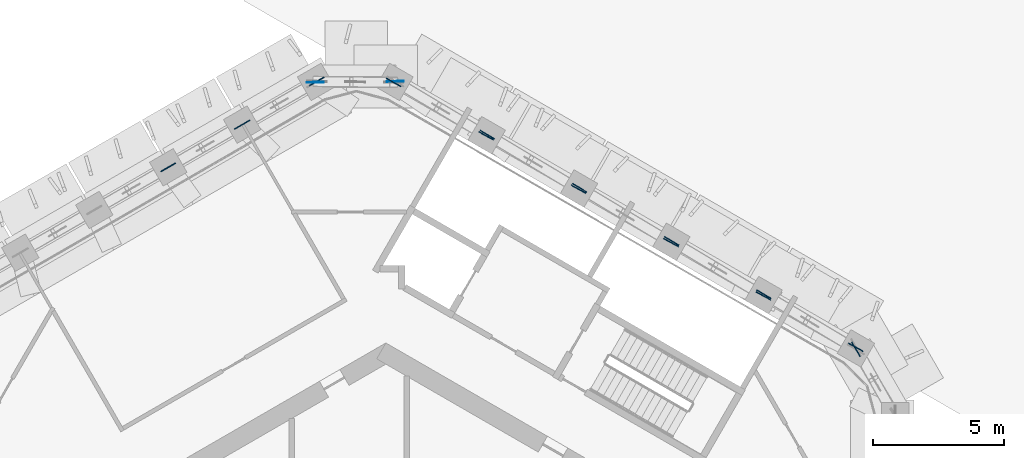
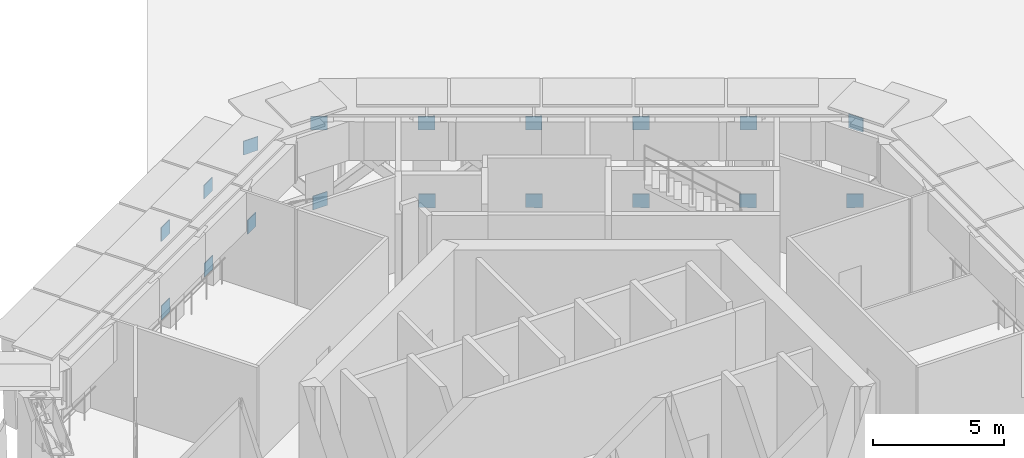
# One storey, part 12 of 18: 18 discrete accessories.
"""IFC4 building model written with IfcOpenShell, lengths in metres."""

from ifc_helpers import new_model, si_unit, direction, frame, origin, origin_2d, place, context, subcontext, project, spatial, rectangle, extrude, material, layer, layer_set, type_object, element, save


model = new_model("IFC4")

# Units and contexts
model_context = context("Model", 3, precision=1e-05, world=origin(), true_north=direction((0.0, 1.0)))
body_context = subcontext(model_context, "Body", "Model", "MODEL_VIEW")
ifc_project = project(units=[si_unit("LENGTHUNIT", "METRE"), si_unit("AREAUNIT", "SQUARE_METRE"), si_unit("VOLUMEUNIT", "CUBIC_METRE"), si_unit("PLANEANGLEUNIT", "RADIAN"), si_unit("MASSUNIT", "GRAM", prefix="KILO")], contexts=[model_context])

# Site, building, storey
site_placement = place(None, origin())
site = spatial("IfcSite", under=ifc_project, at=site_placement, CompositionType="ELEMENT")
building_placement = place(site_placement, origin())
building = spatial("IfcBuilding", under=site, at=building_placement, Name="Ayvan Gate Tower", CompositionType="ELEMENT")
storey_placement = place(building_placement, frame((0.0, 0.0, 147.89990234375)))
storey = spatial("IfcBuildingStorey", under=building, at=storey_placement, Name="L39", CompositionType="ELEMENT", Elevation=147.89990234375)

# Discrete accessories
ifc_material = material(Name="Steel S460ML", Category="steel")
ifc_layer = layer(ifc_material, 0.034912109375)
ifc_layer_set = layer_set([ifc_layer], Name="Steel S460ML")
discrete_accessory_type = type_object("IfcDiscreteAccessoryType", Name="Gusset plate 35 mm", PredefinedType="BRACKET", material=ifc_layer_set)
for number, where, z_axis, x_axis, name in (
    (1, (3.835693359375, 18.897705078125, 3.72998046875), (0.0, 0.0, 1.0), (-0.873704309289, 0.4864573773, 0.0), "Gusset plate BT2-DA-10"),
    (2, (0.298095703125, 20.940185546875, 3.72998046875), (0.0, 0.0, 1.0), (-0.873677139021, 0.486506173395, 0.0), "Gusset plate BT2-DA-11"),
    (3, (0.36181640625, 20.976806640625, 0.080078125), (0.0, 0.0, 1.0), (0.999927927408, 0.012005831486, 0.0), "Gusset plate BT2-DA-12"),
    (4, (-2.701904296875, 20.940185546875, 3.72998046875), (0.0, 0.0, 1.0), (0.999927927408, 0.012005831486, 0.0), "Gusset plate BT2-DA-12"),
    (5, (-2.63818359375, 20.976806640625, 0.080078125), (0.0, 0.0, 1.0), (0.866025403784, 0.5, 0.0), "Gusset plate BT2-DA-13"),
    (6, (-5.518310546875, 19.314208984375, 3.72998046875), (0.0, 0.0, 1.0), (0.866025403784, 0.5, 0.0), "Gusset plate BT2-DA-13"),
    (7, (-8.334716796875, 17.68798828125, 3.72998046875), (0.0, 0.0, 1.0), (0.866025403784, 0.5, 0.0), "Gusset plate BT2-DA-14"),
    (8, (17.985595703125, 10.728271484375, 3.72998046875), (0.0, 0.0, 1.0), (-0.510808521928, 0.859694511978, 0.0), "Gusset plate BT2-DA-6"),
    (9, (17.985595703125, 10.802001953125, 0.080078125), (0.0, 0.0, 1.0), (-0.873786652512, 0.486309454866, 0.0), "Gusset plate BT2-DA-7"),
    (10, (14.447998046875, 12.770751953125, 3.72998046875), (0.0, 0.0, 1.0), (-0.873786652512, 0.486309454866, 0.0), "Gusset plate BT2-DA-7"),
    (11, (10.91064453125, 14.81298828125, 3.72998046875), (0.0, 0.0, 1.0), (-0.873758641649, 0.486359780557, 0.0), "Gusset plate BT2-DA-8"),
    (12, (7.373291015625, 16.85546875, 3.72998046875), (0.0, 0.0, 1.0), (-0.873731476832, 0.486408579687, 0.0), "Gusset plate BT2-DA-9"),
    (13, (3.88671875, 18.94189453125, 0.080078125), (0.0, 0.0, 1.0), (-0.858079246166, 0.513517290165, 0.0), "Gusset plate BT2-DB-10"),
    (14, (-5.47998046875, 19.336181640625, 0.080078125), (0.0, 0.0, 1.0), (0.866025403784, 0.5, 0.0), "Gusset plate BT2-DB-13"),
    (15, (-8.32177734375, 17.6953125, 0.080078125), (0.0, 0.0, 1.0), (0.866025403784, 0.5, 0.0), "Gusset plate BT2-DB-14"),
    (16, (14.460693359375, 12.8369140625, 0.080078125), (0.0, 0.0, 1.0), (-0.858165274769, 0.5133735104, 0.0), "Gusset plate BT2-DB-7"),
    (17, (10.93603515625, 14.871826171875, 0.080078125), (0.0, 0.0, 1.0), (-0.858136601245, 0.51342143859, 0.0), "Gusset plate BT2-DB-8"),
    (18, (7.411376953125, 16.906982421875, 0.080078125), (0.0, 0.0, 1.0), (-0.858107925044, 0.513469365179, 0.0), "Gusset plate BT2-DB-9"),
):
    element("IfcDiscreteAccessory", number, at=place(storey_placement, frame(where, z_axis=z_axis, x_axis=x_axis)), inside=storey, type_object=discrete_accessory_type, Name=name, PredefinedType="BRACKET", context=body_context, shape_type="SweptSolid", body=[
        extrude(rectangle(XDim=0.639892578125, YDim=0.034912109375, at=origin_2d()), origin(), (0.0, 0.0, 1.0), 0.639892578125),
    ])

save(model, "model.ifc")
